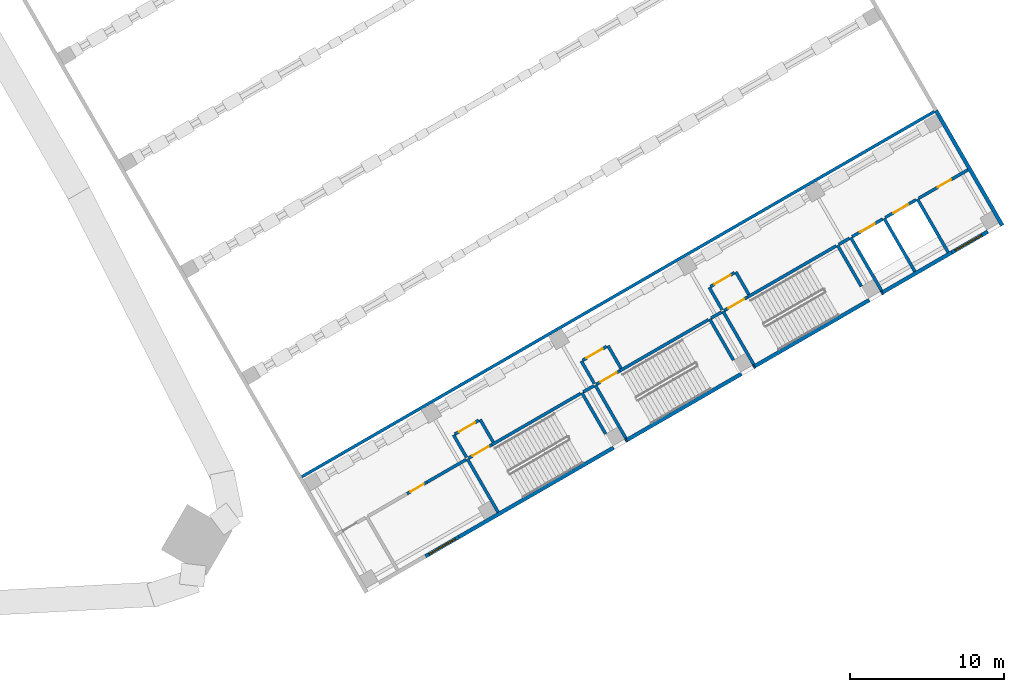
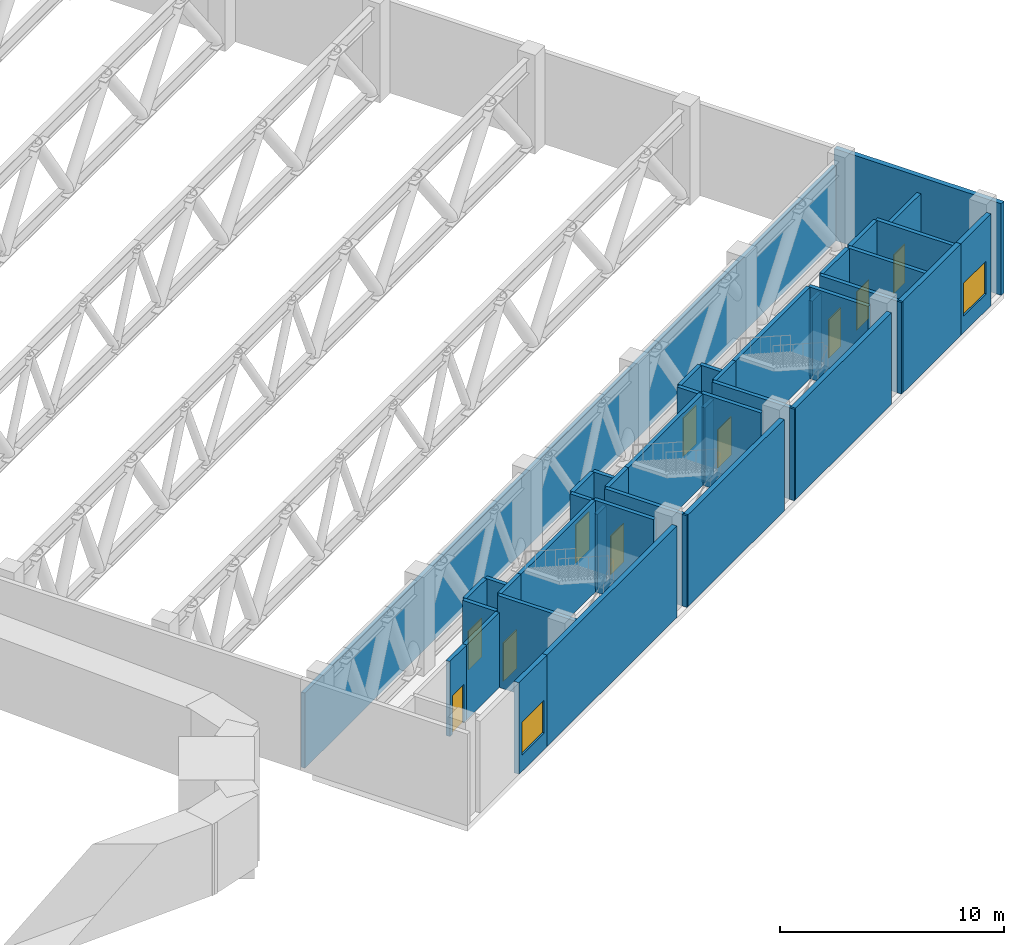
# One storey, part 23 of 37: 43 walls, 10 doors, 2 windows, 12 openings.
"""IFC4 building model written with IfcOpenShell, lengths in metres."""

from ifc_helpers import new_model, si_unit, direction, frame, frame_2d, origin, place, context, subcontext, project, spatial, rectangle, extrude, material, layer, layer_set, type_object, element, fill, save


model = new_model("IFC4")

# Units and contexts
model_context = context("Model", 3, precision=1e-05, world=origin(), true_north=direction((0.0, 1.0)))
body_context = subcontext(model_context, "Body", "Model", "MODEL_VIEW")
ifc_project = project(units=[si_unit("LENGTHUNIT", "METRE"), si_unit("AREAUNIT", "SQUARE_METRE"), si_unit("VOLUMEUNIT", "CUBIC_METRE"), si_unit("PLANEANGLEUNIT", "RADIAN"), si_unit("MASSUNIT", "GRAM", prefix="KILO")], contexts=[model_context])

# Site, building, storey
site_placement = place(None, origin())
site = spatial("IfcSite", under=ifc_project, at=site_placement, CompositionType="ELEMENT")
building_placement = place(site_placement, origin())
building = spatial("IfcBuilding", under=site, at=building_placement, Name="Mestral Congress Tower", CompositionType="ELEMENT")
storey_placement = place(building_placement, frame((0.0, 0.0, 16.199951171875)))
storey = spatial("IfcBuildingStorey", under=building, at=storey_placement, Name="L03", CompositionType="ELEMENT", Elevation=16.199951171875)

# Wall
ifc_material_1 = material(Name="Precast concrete C40/50 with limestone facing", Category="masonry")
ifc_layer_1 = layer(ifc_material_1, 0.25)
ifc_layer_set_1 = layer_set([ifc_layer_1], Name="Precast concrete C40/50 with limestone facing")
wall_type_1 = type_object("IfcWallType", Name="Podium external wall 250", PredefinedType="SOLIDWALL", material=ifc_layer_set_1)
wall_1_placement = place(storey_placement, frame((79.602783203125, 9.72998046875, 0.0), z_axis=(0.0, 0.0, 1.0), x_axis=(0.499999331568, -0.866025789703, 0.0)))
element("IfcWall", 1, at=wall_1_placement, inside=storey, type_object=wall_type_1, Name="L03 external wall", PredefinedType="SOLIDWALL", context=body_context, shape_type="SweptSolid", body=[
    extrude(rectangle(XDim=8.625, YDim=0.25, at=frame_2d((4.3125, 0.0))), origin(), (0.0, 0.0, 1.0), 5.0),
])

# Wall, opening, window
wall_2_placement = place(storey_placement, frame((48.562255859375, -18.006103515625, 0.0), z_axis=(0.0, 0.0, 1.0), x_axis=(-0.866022959057, -0.500004234368, 0.0)))
wall_2 = element("IfcWall", 2, at=wall_2_placement, inside=storey, type_object=wall_type_1, Name="L03 external wall", PredefinedType="SOLIDWALL", context=body_context, shape_type="SweptSolid", body=[
    extrude(rectangle(XDim=2.5, YDim=0.25, at=frame_2d((1.25, 0.0))), origin(), (0.0, 0.0, 1.0), 5.0),
])
opening_1_placement = place(wall_2_placement, frame((0.25, 0.0, 0.89990234375)))
opening_1 = element("IfcOpeningElement", 3, at=opening_1_placement, cuts=wall_2, Name="Opening PW-2000x1800", PredefinedType="OPENING", context=body_context, shape_type="SweptSolid", body=[
    extrude(rectangle(XDim=2.0, YDim=1.800048828125, at=frame_2d((1.0, 0.89990234375))), frame((0.0, 0.135009765625, 0.0), z_axis=(0.0, -1.0, 0.0), x_axis=(1.0, 0.0, 0.0)), (0.0, 0.0, 1.0), 0.27001953125),
])
ifc_material_2 = material(Name="Aluminium frame, clear double glazing", Category="aluminium")
window_type = type_object("IfcWindowType", Name="Podium window 2000x1800 sill 900", PartitioningType="SINGLE_PANEL", PredefinedType="WINDOW", material=ifc_material_2)
window_1_placement = place(opening_1_placement, origin())
window_1 = element("IfcWindow", 4, at=window_1_placement, inside=storey, type_object=window_type, Name="Window", OverallHeight=1.800048828125, OverallWidth=2.0, PartitioningType="SINGLE_PANEL", PredefinedType="WINDOW", context=body_context, shape_type="SweptSolid", body=[
    extrude(rectangle(XDim=2.0, YDim=1.800048828125, at=frame_2d((1.0, 0.89990234375))), frame((0.0, 0.030029296875, 0.0), z_axis=(0.0, -1.0, 0.0), x_axis=(1.0, 0.0, 0.0)), (0.0, 0.0, 1.0), 0.06005859375),
])
fill(opening_1, window_1)

# Walls
wall_3_placement = place(storey_placement, frame((58.6298828125, -12.193603515625, 0.0), z_axis=(0.0, 0.0, 1.0), x_axis=(-0.866027159341, -0.499996959274, 0.0)))
element("IfcWall", 5, at=wall_3_placement, inside=storey, type_object=wall_type_1, Name="L03 external wall", PredefinedType="SOLIDWALL", context=body_context, shape_type="SweptSolid", body=[
    extrude(rectangle(XDim=11.625, YDim=0.25, at=frame_2d((5.8125, 0.0))), origin(), (0.0, 0.0, 1.0), 5.0),
])
wall_4_placement = place(storey_placement, frame((66.943603515625, -7.393798828125, 0.0), z_axis=(0.0, 0.0, 1.0), x_axis=(-0.866033360935, -0.499986217557, 0.0)))
element("IfcWall", 6, at=wall_4_placement, inside=storey, type_object=wall_type_1, Name="L03 external wall", PredefinedType="SOLIDWALL", context=body_context, shape_type="SweptSolid", body=[
    extrude(rectangle(XDim=8.599853515625, YDim=0.25, at=frame_2d((4.2998046875, 0.0))), origin(), (0.0, 0.0, 1.0), 5.0),
])
wall_5_placement = place(storey_placement, frame((75.257568359375, -2.59375, 0.0), z_axis=(0.0, 0.0, 1.0), x_axis=(-0.866028165386, -0.499995216735, 0.0)))
element("IfcWall", 7, at=wall_5_placement, inside=storey, type_object=wall_type_1, Name="L03 external wall", PredefinedType="SOLIDWALL", context=body_context, shape_type="SweptSolid", body=[
    extrude(rectangle(XDim=8.60009765625, YDim=0.25, at=frame_2d((4.300048828125, 0.0))), origin(), (0.0, 0.0, 1.0), 5.0),
])
wall_6_placement = place(storey_placement, frame((80.626708984375, 0.50634765625, 0.0), z_axis=(0.0, 0.0, 1.0), x_axis=(-0.866009661879, -0.500027264788, 0.0)))
element("IfcWall", 8, at=wall_6_placement, inside=storey, type_object=wall_type_1, Name="L03 external wall", PredefinedType="SOLIDWALL", context=body_context, shape_type="SweptSolid", body=[
    extrude(rectangle(XDim=5.199951171875, YDim=0.25, at=frame_2d((2.60009765625, 0.0))), origin(), (0.0, 0.0, 1.0), 5.0),
])

# Wall, opening, window
wall_7_placement = place(storey_placement, frame((82.965087890625, 1.856201171875, 0.0), z_axis=(0.0, 0.0, 1.0), x_axis=(-0.866059108428, -0.4999416173, 0.0)))
wall_7 = element("IfcWall", 9, at=wall_7_placement, inside=storey, type_object=wall_type_1, Name="L03 external wall", PredefinedType="SOLIDWALL", context=body_context, shape_type="SweptSolid", body=[
    extrude(rectangle(XDim=2.699951171875, YDim=0.25, at=frame_2d((1.35009765625, 0.0))), origin(), (0.0, 0.0, 1.0), 5.0),
])
opening_2_placement = place(wall_7_placement, frame((0.449951171875, 0.0, 0.89990234375)))
opening_2 = element("IfcOpeningElement", 10, at=opening_2_placement, cuts=wall_7, Name="Opening PW-2000x1800", PredefinedType="OPENING", context=body_context, shape_type="SweptSolid", body=[
    extrude(rectangle(XDim=2.0, YDim=1.800048828125, at=frame_2d((1.0, 0.89990234375))), frame((0.0, 0.135009765625, 0.0), z_axis=(0.0, -1.0, 0.0), x_axis=(1.0, 0.0, 0.0)), (0.0, 0.0, 1.0), 0.27001953125),
])
window_2_placement = place(opening_2_placement, origin())
window_2 = element("IfcWindow", 11, at=window_2_placement, inside=storey, type_object=window_type, Name="Window", OverallHeight=1.800048828125, OverallWidth=2.0, PartitioningType="SINGLE_PANEL", PredefinedType="WINDOW", context=body_context, shape_type="SweptSolid", body=[
    extrude(rectangle(XDim=2.0, YDim=1.800048828125, at=frame_2d((1.0, 0.89990234375))), frame((0.0, 0.030029296875, 0.0), z_axis=(0.0, -1.0, 0.0), x_axis=(1.0, 0.0, 0.0)), (0.0, 0.0, 1.0), 0.06005859375),
])
fill(opening_2, window_2)

# Walls
wall_8_placement = place(storey_placement, frame((59.495849609375, -11.693603515625, 0.0), z_axis=(0.0, 0.0, 1.0), x_axis=(-0.865982457891, -0.500074377092, 0.0)))
element("IfcWall", 12, at=wall_8_placement, inside=storey, type_object=wall_type_1, Name="L03 external wall", PredefinedType="SOLIDWALL", context=body_context, shape_type="SweptSolid", body=[
    extrude(rectangle(XDim=0.10009765625, YDim=0.25, at=frame_2d((0.050048828125, 0.0))), origin(), (0.0, 0.0, 1.0), 5.0),
])
wall_9_placement = place(storey_placement, frame((67.8095703125, -6.893798828125, 0.0), z_axis=(0.0, 0.0, 1.0), x_axis=(-0.867038199201, -0.4982416694, 0.0)))
element("IfcWall", 13, at=wall_9_placement, inside=storey, type_object=wall_type_1, Name="L03 external wall", PredefinedType="SOLIDWALL", context=body_context, shape_type="SweptSolid", body=[
    extrude(rectangle(XDim=0.099853515625, YDim=0.25, at=frame_2d((0.0498046875, 0.0))), origin(), (0.0, 0.0, 1.0), 5.0),
])
wall_10_placement = place(storey_placement, frame((76.12353515625, -2.09375, 0.0), z_axis=(0.0, 0.0, 1.0), x_axis=(-0.865982457891, -0.500074377092, 0.0)))
element("IfcWall", 14, at=wall_10_placement, inside=storey, type_object=wall_type_1, Name="L03 external wall", PredefinedType="SOLIDWALL", context=body_context, shape_type="SweptSolid", body=[
    extrude(rectangle(XDim=0.10009765625, YDim=0.25, at=frame_2d((0.050048828125, 0.0))), origin(), (0.0, 0.0, 1.0), 5.0),
])
ifc_material_3 = material(Name="Masonry block wall", Category="masonry")
ifc_layer_2 = layer(ifc_material_3, 0.199951171875)
ifc_layer_set_2 = layer_set([ifc_layer_2], Name="Masonry block wall")
wall_type_2 = type_object("IfcWallType", Name="Podium stair enclosure wall 200 EI 120 load-bearing", PredefinedType="SOLIDWALL", material=ifc_layer_set_2)
wall_11_placement = place(storey_placement, frame((51.119384765625, -16.385498046875, 0.0), z_axis=(0.0, 0.0, 1.0), x_axis=(-0.49999894854, 0.866026010844, 0.0)))
element("IfcWall", 15, at=wall_11_placement, inside=storey, type_object=wall_type_2, Name="L03 partition", PredefinedType="SOLIDWALL", context=body_context, shape_type="SweptSolid", body=[
    extrude(rectangle(XDim=4.0, YDim=0.199951171875, at=frame_2d((2.0, 0.0))), origin(), (0.0, 0.0, 1.0), 5.0),
])
wall_12_placement = place(storey_placement, frame((58.1171875, -11.30615234375, 0.0), z_axis=(0.0, 0.0, 1.0), x_axis=(-0.499933790963, 0.866063626216, 0.0)))
element("IfcWall", 16, at=wall_12_placement, inside=storey, type_object=wall_type_2, Name="L03 partition", PredefinedType="SOLIDWALL", context=body_context, shape_type="SweptSolid", body=[
    extrude(rectangle(XDim=3.10009765625, YDim=0.199951171875, at=frame_2d((1.550048828125, 0.0))), origin(), (0.0, 0.0, 1.0), 5.0),
])
wall_13_placement = place(storey_placement, frame((59.433349609375, -11.58544921875, 0.0), z_axis=(0.0, 0.0, 1.0), x_axis=(-0.49999894854, 0.866026010844, 0.0)))
element("IfcWall", 17, at=wall_13_placement, inside=storey, type_object=wall_type_2, Name="L03 partition", PredefinedType="SOLIDWALL", context=body_context, shape_type="SweptSolid", body=[
    extrude(rectangle(XDim=4.0, YDim=0.199951171875, at=frame_2d((2.0, 0.0))), origin(), (0.0, 0.0, 1.0), 5.0),
])
wall_14_placement = place(storey_placement, frame((66.43115234375, -6.506103515625, 0.0), z_axis=(0.0, 0.0, 1.0), x_axis=(-0.49999285859, 0.86602952684, 0.0)))
element("IfcWall", 18, at=wall_14_placement, inside=storey, type_object=wall_type_2, Name="L03 partition", PredefinedType="SOLIDWALL", context=body_context, shape_type="SweptSolid", body=[
    extrude(rectangle(XDim=3.10009765625, YDim=0.199951171875, at=frame_2d((1.550048828125, 0.0))), origin(), (0.0, 0.0, 1.0), 5.0),
])
wall_15_placement = place(storey_placement, frame((67.7470703125, -6.785400390625, 0.0), z_axis=(0.0, 0.0, 1.0), x_axis=(-0.49999894854, 0.866026010844, 0.0)))
element("IfcWall", 19, at=wall_15_placement, inside=storey, type_object=wall_type_2, Name="L03 partition", PredefinedType="SOLIDWALL", context=body_context, shape_type="SweptSolid", body=[
    extrude(rectangle(XDim=4.0, YDim=0.199951171875, at=frame_2d((2.0, 0.0))), origin(), (0.0, 0.0, 1.0), 5.0),
])
wall_16_placement = place(storey_placement, frame((74.7451171875, -1.7060546875, 0.0), z_axis=(0.0, 0.0, 1.0), x_axis=(-0.500026960575, 0.86600983753, 0.0)))
element("IfcWall", 20, at=wall_16_placement, inside=storey, type_object=wall_type_2, Name="L03 partition", PredefinedType="SOLIDWALL", context=body_context, shape_type="SweptSolid", body=[
    extrude(rectangle(XDim=3.099853515625, YDim=0.199951171875, at=frame_2d((1.5498046875, 0.0))), origin(), (0.0, 0.0, 1.0), 5.0),
])

# Wall, opening, door
wall_17_placement = place(storey_placement, frame((50.7216796875, -11.996337890625, 0.0), z_axis=(0.0, 0.0, 1.0), x_axis=(-0.866036909293, -0.499980071345, 0.0)))
wall_17 = element("IfcWall", 21, at=wall_17_placement, inside=storey, type_object=wall_type_2, Name="L03 partition", PredefinedType="SOLIDWALL", context=body_context, shape_type="SweptSolid", body=[
    extrude(rectangle(XDim=1.75, YDim=0.199951171875, at=frame_2d((0.875, 0.0))), origin(), (0.0, 0.0, 1.0), 5.0),
])
opening_3_placement = place(wall_17_placement, frame((0.25, 0.0, 0.0)))
opening_3 = element("IfcOpeningElement", 22, at=opening_3_placement, cuts=wall_17, Name="Opening P03-001", PredefinedType="OPENING", context=body_context, shape_type="SweptSolid", body=[
    extrude(rectangle(XDim=1.199951171875, YDim=2.10009765625, at=frame_2d((0.60009765625, 1.050048828125))), frame((0.0, 0.10986328125, 0.0), z_axis=(0.0, -1.0, 0.0), x_axis=(1.0, 0.0, 0.0)), (0.0, 0.0, 1.0), 0.219970703125),
])
ifc_material_4 = material(Name="Fire-rated steel door set", Category="steel")
door_type_1 = type_object("IfcDoorType", Name="Podium stair door 1200x2100 EI2 30-C5", OperationType="SINGLE_SWING_LEFT", PredefinedType="DOOR", material=ifc_material_4)
door_1_placement = place(opening_3_placement, origin())
door_1 = element("IfcDoor", 23, at=door_1_placement, inside=storey, type_object=door_type_1, Name="Door P03-001", OperationType="SINGLE_SWING_LEFT", OverallHeight=2.10009765625, OverallWidth=1.199951171875, PredefinedType="DOOR", context=body_context, shape_type="SweptSolid", body=[
    extrude(rectangle(XDim=1.199951171875, YDim=2.10009765625, at=frame_2d((0.60009765625, 1.050048828125))), frame((0.0, 0.02490234375, 0.0), z_axis=(0.0, -1.0, 0.0), x_axis=(1.0, 0.0, 0.0)), (0.0, 0.0, 1.0), 0.050048828125),
])
fill(opening_3, door_1)

# Wall
wall_18_placement = place(storey_placement, frame((50.7216796875, -11.996337890625, 0.0), z_axis=(0.0, 0.0, 1.0), x_axis=(0.866027239912, 0.49999681972, 0.0)))
element("IfcWall", 24, at=wall_18_placement, inside=storey, type_object=wall_type_2, Name="L03 partition", PredefinedType="SOLIDWALL", context=body_context, shape_type="SweptSolid", body=[
    extrude(rectangle(XDim=6.64990234375, YDim=0.199951171875, at=frame_2d((3.324951171875, 0.0))), origin(), (0.0, 0.0, 1.0), 5.0),
])

# Wall, opening, door
wall_19_placement = place(storey_placement, frame((59.035400390625, -7.1962890625, 0.0), z_axis=(0.0, 0.0, 1.0), x_axis=(-0.866002029911, -0.500040482552, 0.0)))
wall_19 = element("IfcWall", 25, at=wall_19_placement, inside=storey, type_object=wall_type_2, Name="L03 partition", PredefinedType="SOLIDWALL", context=body_context, shape_type="SweptSolid", body=[
    extrude(rectangle(XDim=1.749755859375, YDim=0.199951171875, at=frame_2d((0.875, 0.0))), origin(), (0.0, 0.0, 1.0), 5.0),
])
opening_4_placement = place(wall_19_placement, frame((0.25, 0.0, 0.0)))
opening_4 = element("IfcOpeningElement", 26, at=opening_4_placement, cuts=wall_19, Name="Opening P03-002", PredefinedType="OPENING", context=body_context, shape_type="SweptSolid", body=[
    extrude(rectangle(XDim=1.199951171875, YDim=2.10009765625, at=frame_2d((0.60009765625, 1.050048828125))), frame((0.0, 0.10986328125, 0.0), z_axis=(0.0, -1.0, 0.0), x_axis=(1.0, 0.0, 0.0)), (0.0, 0.0, 1.0), 0.219970703125),
])
door_2_placement = place(opening_4_placement, origin())
door_2 = element("IfcDoor", 27, at=door_2_placement, inside=storey, type_object=door_type_1, Name="Door P03-002", OperationType="SINGLE_SWING_LEFT", OverallHeight=2.10009765625, OverallWidth=1.199951171875, PredefinedType="DOOR", context=body_context, shape_type="SweptSolid", body=[
    extrude(rectangle(XDim=1.199951171875, YDim=2.10009765625, at=frame_2d((0.60009765625, 1.050048828125))), frame((0.0, 0.02490234375, 0.0), z_axis=(0.0, -1.0, 0.0), x_axis=(1.0, 0.0, 0.0)), (0.0, 0.0, 1.0), 0.050048828125),
])
fill(opening_4, door_2)

# Wall
wall_20_placement = place(storey_placement, frame((59.035400390625, -7.1962890625, 0.0), z_axis=(0.0, 0.0, 1.0), x_axis=(0.866027239912, 0.49999681972, 0.0)))
element("IfcWall", 28, at=wall_20_placement, inside=storey, type_object=wall_type_2, Name="L03 partition", PredefinedType="SOLIDWALL", context=body_context, shape_type="SweptSolid", body=[
    extrude(rectangle(XDim=6.64990234375, YDim=0.199951171875, at=frame_2d((3.324951171875, 0.0))), origin(), (0.0, 0.0, 1.0), 5.0),
])

# Wall, opening, door
wall_21_placement = place(storey_placement, frame((67.349365234375, -2.396484375, 0.0), z_axis=(0.0, 0.0, 1.0), x_axis=(-0.866036909293, -0.499980071345, 0.0)))
wall_21 = element("IfcWall", 29, at=wall_21_placement, inside=storey, type_object=wall_type_2, Name="L03 partition", PredefinedType="SOLIDWALL", context=body_context, shape_type="SweptSolid", body=[
    extrude(rectangle(XDim=1.75, YDim=0.199951171875, at=frame_2d((0.875, 0.0))), origin(), (0.0, 0.0, 1.0), 5.0),
])
opening_5_placement = place(wall_21_placement, frame((0.25, 0.0, 0.0)))
opening_5 = element("IfcOpeningElement", 30, at=opening_5_placement, cuts=wall_21, Name="Opening P03-003", PredefinedType="OPENING", context=body_context, shape_type="SweptSolid", body=[
    extrude(rectangle(XDim=1.199951171875, YDim=2.10009765625, at=frame_2d((0.60009765625, 1.050048828125))), frame((0.0, 0.10986328125, 0.0), z_axis=(0.0, -1.0, 0.0), x_axis=(1.0, 0.0, 0.0)), (0.0, 0.0, 1.0), 0.219970703125),
])
door_3_placement = place(opening_5_placement, origin())
door_3 = element("IfcDoor", 31, at=door_3_placement, inside=storey, type_object=door_type_1, Name="Door P03-003", OperationType="SINGLE_SWING_LEFT", OverallHeight=2.10009765625, OverallWidth=1.199951171875, PredefinedType="DOOR", context=body_context, shape_type="SweptSolid", body=[
    extrude(rectangle(XDim=1.199951171875, YDim=2.10009765625, at=frame_2d((0.60009765625, 1.050048828125))), frame((0.0, 0.02490234375, 0.0), z_axis=(0.0, -1.0, 0.0), x_axis=(1.0, 0.0, 0.0)), (0.0, 0.0, 1.0), 0.050048828125),
])
fill(opening_5, door_3)

# Walls
wall_22_placement = place(storey_placement, frame((67.349365234375, -2.396484375, 0.0), z_axis=(0.0, 0.0, 1.0), x_axis=(0.86601134256, 0.500024353964, 0.0)))
element("IfcWall", 32, at=wall_22_placement, inside=storey, type_object=wall_type_2, Name="L03 partition", PredefinedType="SOLIDWALL", context=body_context, shape_type="SweptSolid", body=[
    extrude(rectangle(XDim=6.650146484375, YDim=0.199951171875, at=frame_2d((3.3251953125, 0.0))), origin(), (0.0, 0.0, 1.0), 5.0),
])
for number, where, z_axis, x_axis, name in (
    (33, (76.06103515625, -1.985595703125, 0.0), (0.0, 0.0, 1.0), (-0.49999894854, 0.866026010844, 0.0), "L03 partition"),
    (34, (78.22607421875, -0.735595703125, 0.0), (0.0, 0.0, 1.0), (-0.49999894854, 0.866026010844, 0.0), "L03 partition"),
    (35, (80.39111328125, 0.514404296875, 0.0), (0.0, 0.0, 1.0), (-0.49999894854, 0.866026010844, 0.0), "L03 partition"),
):
    element("IfcWall", number, at=place(storey_placement, frame(where, z_axis=z_axis, x_axis=x_axis)), inside=storey, type_object=wall_type_2, Name=name, PredefinedType="SOLIDWALL", context=body_context, shape_type="SweptSolid", body=[
        extrude(rectangle(XDim=4.0, YDim=0.199951171875, at=frame_2d((2.0, 0.0))), origin(), (0.0, 0.0, 1.0), 5.0),
    ])

# Wall, opening, door
wall_23_placement = place(storey_placement, frame((76.139404296875, 2.6787109375, 0.0), z_axis=(0.0, 0.0, 1.0), x_axis=(-0.865980515519, -0.500077740698, 0.0)))
wall_23 = element("IfcWall", 36, at=wall_23_placement, inside=storey, type_object=wall_type_2, Name="L03 partition", PredefinedType="SOLIDWALL", context=body_context, shape_type="SweptSolid", body=[
    extrude(rectangle(XDim=2.300048828125, YDim=0.199951171875, at=frame_2d((1.14990234375, 0.0))), origin(), (0.0, 0.0, 1.0), 5.0),
])
opening_6_placement = place(wall_23_placement, frame((0.60009765625, 0.0, 0.0)))
opening_6 = element("IfcOpeningElement", 37, at=opening_6_placement, cuts=wall_23, Name="Opening P03-007", PredefinedType="OPENING", context=body_context, shape_type="SweptSolid", body=[
    extrude(rectangle(XDim=1.10009765625, YDim=2.10009765625, at=frame_2d((0.550048828125, 1.050048828125))), frame((0.0, 0.10986328125, 0.0), z_axis=(0.0, -1.0, 0.0), x_axis=(1.0, 0.0, 0.0)), (0.0, 0.0, 1.0), 0.219970703125),
])
door_type_2 = type_object("IfcDoorType", Name="Podium lift landing door 1100x2100 EI2 60-C5", OperationType="DOUBLE_DOOR_SLIDING", PredefinedType="DOOR", material=ifc_material_4)
door_4_placement = place(opening_6_placement, origin())
door_4 = element("IfcDoor", 38, at=door_4_placement, inside=storey, type_object=door_type_2, Name="Door P03-007", OperationType="DOUBLE_DOOR_SLIDING", OverallHeight=2.10009765625, OverallWidth=1.10009765625, PredefinedType="DOOR", context=body_context, shape_type="SweptSolid", body=[
    extrude(rectangle(XDim=1.10009765625, YDim=2.10009765625, at=frame_2d((0.550048828125, 1.050048828125))), frame((0.0, 0.02490234375, 0.0), z_axis=(0.0, -1.0, 0.0), x_axis=(1.0, 0.0, 0.0)), (0.0, 0.0, 1.0), 0.050048828125),
])
fill(opening_6, door_4)

wall_24_placement = place(storey_placement, frame((78.304443359375, 3.9287109375, 0.0), z_axis=(0.0, 0.0, 1.0), x_axis=(-0.865980515519, -0.500077740698, 0.0)))
wall_24 = element("IfcWall", 39, at=wall_24_placement, inside=storey, type_object=wall_type_2, Name="L03 partition", PredefinedType="SOLIDWALL", context=body_context, shape_type="SweptSolid", body=[
    extrude(rectangle(XDim=2.300048828125, YDim=0.199951171875, at=frame_2d((1.14990234375, 0.0))), origin(), (0.0, 0.0, 1.0), 5.0),
])
opening_7_placement = place(wall_24_placement, frame((0.60009765625, 0.0, 0.0)))
opening_7 = element("IfcOpeningElement", 40, at=opening_7_placement, cuts=wall_24, Name="Opening P03-008", PredefinedType="OPENING", context=body_context, shape_type="SweptSolid", body=[
    extrude(rectangle(XDim=1.10009765625, YDim=2.10009765625, at=frame_2d((0.550048828125, 1.050048828125))), frame((0.0, 0.10986328125, 0.0), z_axis=(0.0, -1.0, 0.0), x_axis=(1.0, 0.0, 0.0)), (0.0, 0.0, 1.0), 0.219970703125),
])
door_5_placement = place(opening_7_placement, origin())
door_5 = element("IfcDoor", 41, at=door_5_placement, inside=storey, type_object=door_type_2, Name="Door P03-008", OperationType="DOUBLE_DOOR_SLIDING", OverallHeight=2.10009765625, OverallWidth=1.10009765625, PredefinedType="DOOR", context=body_context, shape_type="SweptSolid", body=[
    extrude(rectangle(XDim=1.10009765625, YDim=2.10009765625, at=frame_2d((0.550048828125, 1.050048828125))), frame((0.0, 0.02490234375, 0.0), z_axis=(0.0, -1.0, 0.0), x_axis=(1.0, 0.0, 0.0)), (0.0, 0.0, 1.0), 0.050048828125),
])
fill(opening_7, door_5)

# Walls
ifc_material_5 = material(Name="Fire-rated board partition")
ifc_layer_3 = layer(ifc_material_5, 0.199951171875)
ifc_layer_set_3 = layer_set([ifc_layer_3], Name="Fire-rated board partition")
wall_type_3 = type_object("IfcWallType", Name="Podium vestibule wall 200 EI 120", PredefinedType="PARTITIONING", material=ifc_layer_set_3)
for number, where, z_axis, x_axis, name in (
    (42, (49.069580078125, -12.834716796875, 0.0), (0.0, 0.0, 1.0), (-0.500062241894, 0.865989465428, 0.0), "L03 partition"),
    (43, (50.801513671875, -11.834716796875, 0.0), (0.0, 0.0, 1.0), (-0.500062241894, 0.865989465428, 0.0), "L03 partition"),
):
    element("IfcWall", number, at=place(storey_placement, frame(where, z_axis=z_axis, x_axis=x_axis)), inside=storey, type_object=wall_type_3, Name=name, PredefinedType="PARTITIONING", context=body_context, shape_type="SweptSolid", body=[
        extrude(rectangle(XDim=1.699951171875, YDim=0.199951171875, at=frame_2d((0.85009765625, 0.0))), origin(), (0.0, 0.0, 1.0), 4.10009765625),
    ])
for number, where, z_axis, x_axis, name in (
    (44, (57.38330078125, -8.034912109375, 0.0), (0.0, 0.0, 1.0), (-0.500000056704, 0.866025371046, 0.0), "L03 partition"),
    (45, (59.115478515625, -7.034912109375, 0.0), (0.0, 0.0, 1.0), (-0.500000056704, 0.866025371046, 0.0), "L03 partition"),
):
    element("IfcWall", number, at=place(storey_placement, frame(where, z_axis=z_axis, x_axis=x_axis)), inside=storey, type_object=wall_type_3, Name=name, PredefinedType="PARTITIONING", context=body_context, shape_type="SweptSolid", body=[
        extrude(rectangle(XDim=1.7001953125, YDim=0.199951171875, at=frame_2d((0.85009765625, 0.0))), origin(), (0.0, 0.0, 1.0), 4.10009765625),
    ])
wall_25_placement = place(storey_placement, frame((65.697021484375, -3.23486328125, 0.0), z_axis=(0.0, 0.0, 1.0), x_axis=(-0.499892348375, 0.866087547558, 0.0)))
element("IfcWall", 46, at=wall_25_placement, inside=storey, type_object=wall_type_3, Name="L03 partition", PredefinedType="PARTITIONING", context=body_context, shape_type="SweptSolid", body=[
    extrude(rectangle(XDim=1.699951171875, YDim=0.199951171875, at=frame_2d((0.85009765625, 0.0))), origin(), (0.0, 0.0, 1.0), 4.10009765625),
])
wall_26_placement = place(storey_placement, frame((67.42919921875, -2.23486328125, 0.0), z_axis=(0.0, 0.0, 1.0), x_axis=(-0.500000056704, 0.866025371046, 0.0)))
element("IfcWall", 47, at=wall_26_placement, inside=storey, type_object=wall_type_3, Name="L03 partition", PredefinedType="PARTITIONING", context=body_context, shape_type="SweptSolid", body=[
    extrude(rectangle(XDim=1.7001953125, YDim=0.199951171875, at=frame_2d((0.85009765625, 0.0))), origin(), (0.0, 0.0, 1.0), 4.10009765625),
])

# Wall, opening, door
wall_27_placement = place(storey_placement, frame((49.864990234375, -10.41259765625, 0.0), z_axis=(0.0, 0.0, 1.0), x_axis=(-0.866047807691, -0.499961193289, 0.0)))
wall_27 = element("IfcWall", 48, at=wall_27_placement, inside=storey, type_object=wall_type_3, Name="L03 partition", PredefinedType="PARTITIONING", context=body_context, shape_type="SweptSolid", body=[
    extrude(rectangle(XDim=1.800048828125, YDim=0.199951171875, at=frame_2d((0.89990234375, 0.0))), origin(), (0.0, 0.0, 1.0), 4.10009765625),
])
opening_8_placement = place(wall_27_placement, frame((0.300048828125, 0.0, 0.0)))
opening_8 = element("IfcOpeningElement", 49, at=opening_8_placement, cuts=wall_27, Name="Opening P03-011", PredefinedType="OPENING", context=body_context, shape_type="SweptSolid", body=[
    extrude(rectangle(XDim=1.199951171875, YDim=2.10009765625, at=frame_2d((0.60009765625, 1.050048828125))), frame((0.0, 0.10986328125, 0.0), z_axis=(0.0, -1.0, 0.0), x_axis=(1.0, 0.0, 0.0)), (0.0, 0.0, 1.0), 0.219970703125),
])
door_type_3 = type_object("IfcDoorType", Name="Podium vestibule door 1200x2100 EI2 30-C5", OperationType="SINGLE_SWING_LEFT", PredefinedType="DOOR", material=ifc_material_4)
door_6_placement = place(opening_8_placement, origin())
door_6 = element("IfcDoor", 50, at=door_6_placement, inside=storey, type_object=door_type_3, Name="Door P03-011", OperationType="SINGLE_SWING_LEFT", OverallHeight=2.10009765625, OverallWidth=1.199951171875, PredefinedType="DOOR", context=body_context, shape_type="SweptSolid", body=[
    extrude(rectangle(XDim=1.199951171875, YDim=2.10009765625, at=frame_2d((0.60009765625, 1.050048828125))), frame((0.0, 0.02490234375, 0.0), z_axis=(0.0, -1.0, 0.0), x_axis=(1.0, 0.0, 0.0)), (0.0, 0.0, 1.0), 0.050048828125),
])
fill(opening_8, door_6)

wall_28_placement = place(storey_placement, frame((58.1787109375, -5.612548828125, 0.0), z_axis=(0.0, 0.0, 1.0), x_axis=(-0.866047807691, -0.499961193289, 0.0)))
wall_28 = element("IfcWall", 51, at=wall_28_placement, inside=storey, type_object=wall_type_3, Name="L03 partition", PredefinedType="PARTITIONING", context=body_context, shape_type="SweptSolid", body=[
    extrude(rectangle(XDim=1.800048828125, YDim=0.199951171875, at=frame_2d((0.89990234375, 0.0))), origin(), (0.0, 0.0, 1.0), 4.10009765625),
])
opening_9_placement = place(wall_28_placement, frame((0.300048828125, 0.0, 0.0)))
opening_9 = element("IfcOpeningElement", 52, at=opening_9_placement, cuts=wall_28, Name="Opening P03-012", PredefinedType="OPENING", context=body_context, shape_type="SweptSolid", body=[
    extrude(rectangle(XDim=1.199951171875, YDim=2.10009765625, at=frame_2d((0.60009765625, 1.050048828125))), frame((0.0, 0.10986328125, 0.0), z_axis=(0.0, -1.0, 0.0), x_axis=(1.0, 0.0, 0.0)), (0.0, 0.0, 1.0), 0.219970703125),
])
door_7_placement = place(opening_9_placement, origin())
door_7 = element("IfcDoor", 53, at=door_7_placement, inside=storey, type_object=door_type_3, Name="Door P03-012", OperationType="SINGLE_SWING_LEFT", OverallHeight=2.10009765625, OverallWidth=1.199951171875, PredefinedType="DOOR", context=body_context, shape_type="SweptSolid", body=[
    extrude(rectangle(XDim=1.199951171875, YDim=2.10009765625, at=frame_2d((0.60009765625, 1.050048828125))), frame((0.0, 0.02490234375, 0.0), z_axis=(0.0, -1.0, 0.0), x_axis=(1.0, 0.0, 0.0)), (0.0, 0.0, 1.0), 0.050048828125),
])
fill(opening_9, door_7)

wall_29_placement = place(storey_placement, frame((66.49267578125, -0.8125, 0.0), z_axis=(0.0, 0.0, 1.0), x_axis=(-0.866081705922, -0.499902469156, 0.0)))
wall_29 = element("IfcWall", 54, at=wall_29_placement, inside=storey, type_object=wall_type_3, Name="L03 partition", PredefinedType="PARTITIONING", context=body_context, shape_type="SweptSolid", body=[
    extrude(rectangle(XDim=1.800048828125, YDim=0.199951171875, at=frame_2d((0.89990234375, 0.0))), origin(), (0.0, 0.0, 1.0), 4.10009765625),
])
opening_10_placement = place(wall_29_placement, frame((0.300048828125, 0.0, 0.0)))
opening_10 = element("IfcOpeningElement", 55, at=opening_10_placement, cuts=wall_29, Name="Opening P03-013", PredefinedType="OPENING", context=body_context, shape_type="SweptSolid", body=[
    extrude(rectangle(XDim=1.199951171875, YDim=2.10009765625, at=frame_2d((0.60009765625, 1.050048828125))), frame((0.0, 0.10986328125, 0.0), z_axis=(0.0, -1.0, 0.0), x_axis=(1.0, 0.0, 0.0)), (0.0, 0.0, 1.0), 0.219970703125),
])
door_8_placement = place(opening_10_placement, origin())
door_8 = element("IfcDoor", 56, at=door_8_placement, inside=storey, type_object=door_type_3, Name="Door P03-013", OperationType="SINGLE_SWING_LEFT", OverallHeight=2.10009765625, OverallWidth=1.199951171875, PredefinedType="DOOR", context=body_context, shape_type="SweptSolid", body=[
    extrude(rectangle(XDim=1.199951171875, YDim=2.10009765625, at=frame_2d((0.60009765625, 1.050048828125))), frame((0.0, 0.02490234375, 0.0), z_axis=(0.0, -1.0, 0.0), x_axis=(1.0, 0.0, 0.0)), (0.0, 0.0, 1.0), 0.050048828125),
])
fill(opening_10, door_8)

wall_30_placement = place(storey_placement, frame((46.499755859375, -14.433837890625, 0.0), z_axis=(0.0, 0.0, 1.0), x_axis=(-0.866031096941, -0.499990139034, 0.0)))
wall_30 = element("IfcWall", 57, at=wall_30_placement, inside=storey, type_object=wall_type_3, Name="L03 partition", PredefinedType="PARTITIONING", context=body_context, shape_type="SweptSolid", body=[
    extrude(rectangle(XDim=1.5, YDim=0.199951171875, at=frame_2d((0.75, 0.0))), origin(), (0.0, 0.0, 1.0), 4.10009765625),
])
opening_11_placement = place(wall_30_placement, frame((0.25, 0.0, 0.0)))
opening_11 = element("IfcOpeningElement", 58, at=opening_11_placement, cuts=wall_30, Name="Opening P03-021", PredefinedType="OPENING", context=body_context, shape_type="SweptSolid", body=[
    extrude(rectangle(XDim=1.0, YDim=2.10009765625, at=frame_2d((0.5, 1.050048828125))), frame((0.0, 0.10986328125, 0.0), z_axis=(0.0, -1.0, 0.0), x_axis=(1.0, 0.0, 0.0)), (0.0, 0.0, 1.0), 0.219970703125),
])
door_type_4 = type_object("IfcDoorType", Name="Podium room door 1000x2100 EI2 30-C5", OperationType="SINGLE_SWING_LEFT", PredefinedType="DOOR", material=ifc_material_4)
door_9_placement = place(opening_11_placement, origin())
door_9 = element("IfcDoor", 59, at=door_9_placement, inside=storey, type_object=door_type_4, Name="Door P03-021", OperationType="SINGLE_SWING_LEFT", OverallHeight=2.10009765625, OverallWidth=1.0, PredefinedType="DOOR", context=body_context, shape_type="SweptSolid", body=[
    extrude(rectangle(XDim=1.0, YDim=2.10009765625, at=frame_2d((0.5, 1.050048828125))), frame((0.0, 0.02490234375, 0.0), z_axis=(0.0, -1.0, 0.0), x_axis=(1.0, 0.0, 0.0)), (0.0, 0.0, 1.0), 0.050048828125),
])
fill(opening_11, door_9)

# Wall
wall_31_placement = place(storey_placement, frame((46.499755859375, -14.433837890625, 0.0), z_axis=(0.0, 0.0, 1.0), x_axis=(0.866046596414, 0.499963291492, 0.0)))
element("IfcWall", 60, at=wall_31_placement, inside=storey, type_object=wall_type_3, Name="L03 partition", PredefinedType="PARTITIONING", context=body_context, shape_type="SweptSolid", body=[
    extrude(rectangle(XDim=2.925048828125, YDim=0.199951171875, at=frame_2d((1.46240234375, 0.0))), origin(), (0.0, 0.0, 1.0), 4.10009765625),
])

# Wall, opening, door
wall_32_placement = place(storey_placement, frame((81.681884765625, 5.878662109375, 0.0), z_axis=(0.0, 0.0, 1.0), x_axis=(-0.866000971088, -0.500042316284, 0.0)))
wall_32 = element("IfcWall", 61, at=wall_32_placement, inside=storey, type_object=wall_type_3, Name="L03 partition", PredefinedType="PARTITIONING", context=body_context, shape_type="SweptSolid", body=[
    extrude(rectangle(XDim=3.699951171875, YDim=0.199951171875, at=frame_2d((1.85009765625, 0.0))), origin(), (0.0, 0.0, 1.0), 4.10009765625),
])
opening_12_placement = place(wall_32_placement, frame((1.27490234375, 0.0, 0.0)))
opening_12 = element("IfcOpeningElement", 62, at=opening_12_placement, cuts=wall_32, Name="Opening P03-022", PredefinedType="OPENING", context=body_context, shape_type="SweptSolid", body=[
    extrude(rectangle(XDim=1.0, YDim=2.10009765625, at=frame_2d((0.5, 1.050048828125))), frame((0.0, 0.10986328125, 0.0), z_axis=(0.0, -1.0, 0.0), x_axis=(1.0, 0.0, 0.0)), (0.0, 0.0, 1.0), 0.219970703125),
])
door_10_placement = place(opening_12_placement, origin())
door_10 = element("IfcDoor", 63, at=door_10_placement, inside=storey, type_object=door_type_4, Name="Door P03-022", OperationType="SINGLE_SWING_LEFT", OverallHeight=2.10009765625, OverallWidth=1.0, PredefinedType="DOOR", context=body_context, shape_type="SweptSolid", body=[
    extrude(rectangle(XDim=1.0, YDim=2.10009765625, at=frame_2d((0.5, 1.050048828125))), frame((0.0, 0.02490234375, 0.0), z_axis=(0.0, -1.0, 0.0), x_axis=(1.0, 0.0, 0.0)), (0.0, 0.0, 1.0), 0.050048828125),
])
fill(opening_12, door_10)

# Walls
wall_33_placement = place(storey_placement, frame((56.65380859375, -8.5712890625, 0.0), z_axis=(0.0, 0.0, 1.0), x_axis=(0.866094119867, 0.499880961361, 0.0)))
element("IfcWall", 64, at=wall_33_placement, inside=storey, type_object=wall_type_3, Name="L03 partition", PredefinedType="PARTITIONING", context=body_context, shape_type="SweptSolid", body=[
    extrude(rectangle(XDim=0.800048828125, YDim=0.199951171875, at=frame_2d((0.39990234375, 0.0))), origin(), (0.0, 0.0, 1.0), 4.10009765625),
])
wall_34_placement = place(storey_placement, frame((64.9677734375, -3.771484375, 0.0), z_axis=(0.0, 0.0, 1.0), x_axis=(0.865885638426, 0.500242002602, 0.0)))
element("IfcWall", 65, at=wall_34_placement, inside=storey, type_object=wall_type_3, Name="L03 partition", PredefinedType="PARTITIONING", context=body_context, shape_type="SweptSolid", body=[
    extrude(rectangle(XDim=0.7998046875, YDim=0.199951171875, at=frame_2d((0.39990234375, 0.0))), origin(), (0.0, 0.0, 1.0), 4.10009765625),
])
wall_35_placement = place(storey_placement, frame((73.281494140625, 1.028564453125, 0.0), z_axis=(0.0, 0.0, 1.0), x_axis=(0.865961984968, 0.500109828528, 0.0)))
element("IfcWall", 66, at=wall_35_placement, inside=storey, type_object=wall_type_3, Name="L03 partition", PredefinedType="PARTITIONING", context=body_context, shape_type="SweptSolid", body=[
    extrude(rectangle(XDim=0.800048828125, YDim=0.199951171875, at=frame_2d((0.39990234375, 0.0))), origin(), (0.0, 0.0, 1.0), 4.10009765625),
])
wall_36_placement = place(storey_placement, frame((38.3583984375, -14.08251953125, 0.0), z_axis=(0.0, 0.0, 1.0), x_axis=(0.866024244032, 0.500002008745, 0.0)))
element("IfcWall", 67, at=wall_36_placement, inside=storey, type_object=wall_type_3, Name="L03 partition", PredefinedType="PARTITIONING", context=body_context, shape_type="SweptSolid", body=[
    extrude(rectangle(XDim=47.499755859375, YDim=0.199951171875, at=frame_2d((23.75, 0.0))), origin(), (0.0, 0.0, 1.0), 4.10009765625),
])

save(model, "model.ifc")
